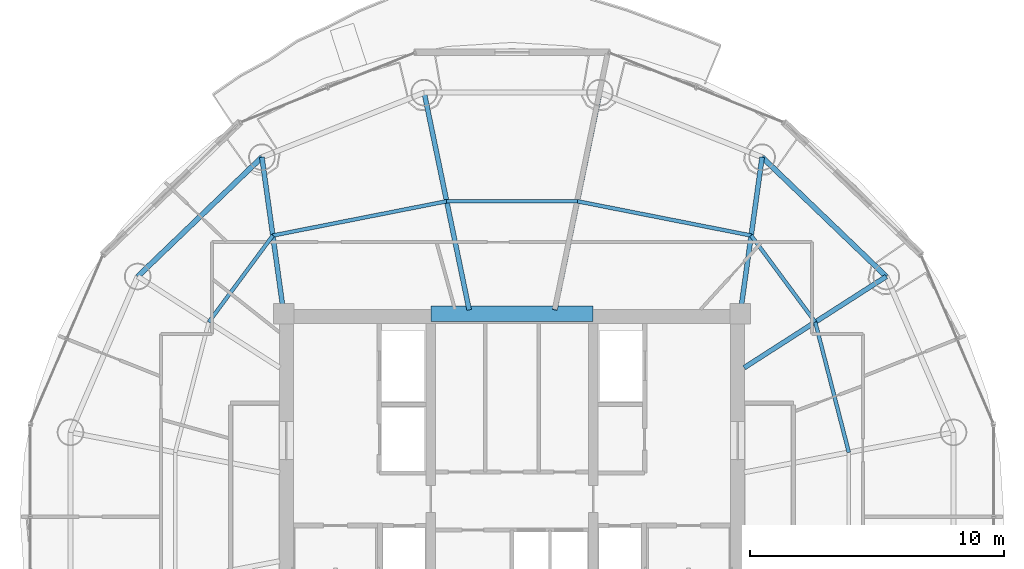
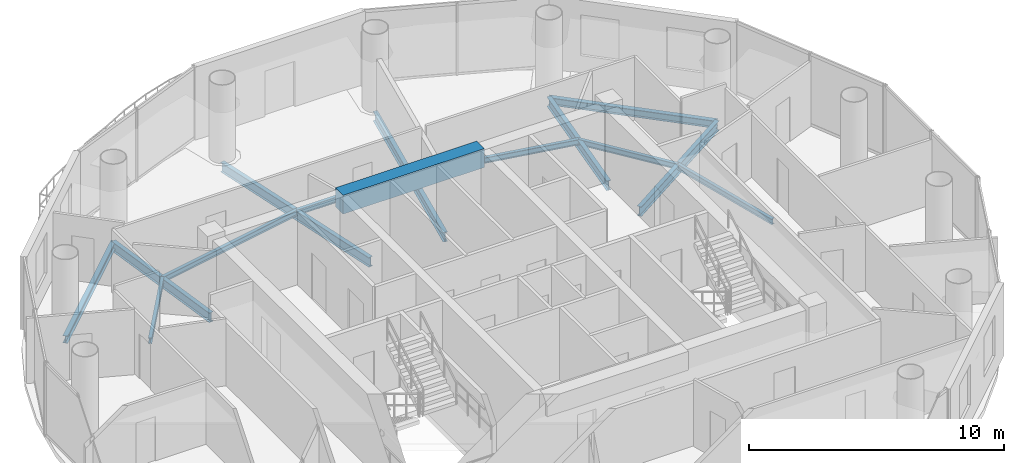
# One storey, part 8 of 21: 14 beams.
"""IFC4 building model written with IfcOpenShell, lengths in metres."""

from ifc_helpers import new_model, si_unit, direction, frame, origin, origin_2d, place, context, subcontext, project, spatial, rectangle, i_section, extrude, material, material_profile, profile_set, type_object, element, save


model = new_model("IFC4")

# Units and contexts
model_context = context("Model", 3, precision=1e-05, world=origin(), true_north=direction((-0.2419218956, 0.970295726276)))
body_context = subcontext(model_context, "Body", "Model", "MODEL_VIEW")
ifc_project = project(units=[si_unit("LENGTHUNIT", "METRE"), si_unit("AREAUNIT", "SQUARE_METRE"), si_unit("VOLUMEUNIT", "CUBIC_METRE"), si_unit("PLANEANGLEUNIT", "RADIAN"), si_unit("MASSUNIT", "GRAM", prefix="KILO")], contexts=[model_context])

# Site, building, storey
site_placement = place(None, origin())
site = spatial("IfcSite", under=ifc_project, at=site_placement, CompositionType="ELEMENT")
building_placement = place(site_placement, origin())
building = spatial("IfcBuilding", under=site, at=building_placement, Name="Cobrevalo Terracotta Tower", CompositionType="ELEMENT")
storey_placement = place(building_placement, frame((0.0, 0.0, 281.949951171875)))
storey = spatial("IfcBuildingStorey", under=building, at=storey_placement, Name="L74", CompositionType="ELEMENT", Elevation=281.949951171875)

# Beams
ifc_material_1 = material(Name="Concrete C60", Category="concrete")
ifc_material_profile_1 = material_profile(ifc_material_1, rectangle(XDim=0.60009765625, YDim=0.89990234375, at=origin_2d()), Name="RC CB 600x900")
ifc_profile_set_1 = profile_set([ifc_material_profile_1], Name="Concrete C60")
beam_type_1 = type_object("IfcBeamType", Name="Structural Beam RC CB 600x900 (Concrete C60)", PredefinedType="BEAM", material=ifc_profile_set_1)
beam_1_placement = place(storey_placement, frame((34.800048828125, 34.800048828125, 3.0400390625), z_axis=(1.0, 0.0, 0.0), x_axis=(0.0, 1.0, 0.0)))
element("IfcBeam", 1, at=beam_1_placement, inside=storey, type_object=beam_type_1, Name="L74 core coupling beam 2", PredefinedType="BEAM", context=body_context, shape_type="SweptSolid", body=[
    extrude(rectangle(XDim=0.60009765625, YDim=0.89990234375, at=origin_2d()), origin(), (0.0, 0.0, 1.0), 6.39990234375),
])
ifc_material_2 = material(Name="Steel S355", Category="steel")
ifc_material_profile_2 = material_profile(ifc_material_2, i_section(OverallWidth=0.19091796875, OverallDepth=0.4599609375, WebThickness=0.010009765625, FlangeThickness=0.01611328125, at=origin_2d()), Name="W 460x82")
ifc_profile_set_2 = profile_set([ifc_material_profile_2], Name="Steel S355")
beam_type_2 = type_object("IfcBeamType", Name="Structural Beam W 460x82 (Steel S355)", PredefinedType="BEAM", material=ifc_profile_set_2)
beam_2_placement = place(storey_placement, frame((52.758544921875, 36.2724609375, -0.489990234375), z_axis=(-0.84157615512, -0.540138477739, 0.0), x_axis=(0.540138477739, -0.84157615512, 0.0)))
element("IfcBeam", 2, at=beam_2_placement, inside=storey, type_object=beam_type_2, Name="L74 radial floor girder 02", PredefinedType="BEAM", context=body_context, shape_type="SweptSolid", body=[
    extrude(i_section(OverallWidth=0.19091796875, OverallDepth=0.4599609375, WebThickness=0.010009765625, FlangeThickness=0.01611328125, at=origin_2d()), origin(), (0.0, 0.0, 1.0), 6.658447265625),
])
beam_3_placement = place(storey_placement, frame((47.861328125, 40.9765625, -0.489990234375), z_axis=(-0.138115657759, -0.990416107039, 0.0), x_axis=(0.990416107039, -0.138115657759, 0.0)))
element("IfcBeam", 3, at=beam_3_placement, inside=storey, type_object=beam_type_2, Name="L74 radial floor girder 03", PredefinedType="BEAM", context=body_context, shape_type="SweptSolid", body=[
    extrude(i_section(OverallWidth=0.19091796875, OverallDepth=0.4599609375, WebThickness=0.010009765625, FlangeThickness=0.01611328125, at=origin_2d()), origin(), (0.0, 0.0, 1.0), 6.236328125),
])
for number, where, z_axis, x_axis, name in (
    (4, (41.462890625, 43.5224609375, -0.489990234375), (-0.202781841237, -0.9792239401, 0.0), (0.9792239401, -0.202781841237, 0.0), "L74 radial floor girder 04"),
    (5, (34.537109375, 43.5224609375, -0.489990234375), (0.202781841237, -0.9792239401, 0.0), (0.9792239401, 0.202781841237, 0.0), "L74 radial floor girder 05"),
):
    element("IfcBeam", number, at=place(storey_placement, frame(where, z_axis=z_axis, x_axis=x_axis)), inside=storey, type_object=beam_type_2, Name=name, PredefinedType="BEAM", context=body_context, shape_type="SweptSolid", body=[
        extrude(i_section(OverallWidth=0.19091796875, OverallDepth=0.4599609375, WebThickness=0.010009765625, FlangeThickness=0.01611328125, at=origin_2d()), origin(), (0.0, 0.0, 1.0), 8.749267578125),
    ])
beam_4_placement = place(storey_placement, frame((28.138671875, 40.9765625, -0.489990234375), z_axis=(0.138115657759, -0.990416107039, 0.0), x_axis=(0.990416107039, 0.138115657759, 0.0)))
element("IfcBeam", 6, at=beam_4_placement, inside=storey, type_object=beam_type_2, Name="L74 radial floor girder 06", PredefinedType="BEAM", context=body_context, shape_type="SweptSolid", body=[
    extrude(i_section(OverallWidth=0.19091796875, OverallDepth=0.4599609375, WebThickness=0.010009765625, FlangeThickness=0.01611328125, at=origin_2d()), origin(), (0.0, 0.0, 1.0), 6.236328125),
])
ifc_material_profile_3 = material_profile(ifc_material_2, i_section(OverallWidth=0.14794921875, OverallDepth=0.26611328125, WebThickness=0.007568359375, FlangeThickness=0.012939453125, at=origin_2d()), Name="W 250x44.8")
ifc_profile_set_3 = profile_set([ifc_material_profile_3], Name="Steel S355")
beam_type_3 = type_object("IfcBeamType", Name="Structural Joist W 250x44.8 (Steel S355)", PredefinedType="JOIST", material=ifc_profile_set_3)
beam_5_placement = place(storey_placement, frame((51.281982421875, 29.337646484375, -0.39306640625), z_axis=(-0.249816773293, 0.968293126993, 0.0), x_axis=(-0.968293126993, -0.249816773293, 0.0)))
element("IfcBeam", 7, at=beam_5_placement, inside=storey, type_object=beam_type_3, Name="L74 circumferential secondary floor joist 01", PredefinedType="JOIST", context=body_context, shape_type="SweptSolid", body=[
    extrude(i_section(OverallWidth=0.14794921875, OverallDepth=0.26611328125, WebThickness=0.007568359375, FlangeThickness=0.012939453125, at=origin_2d()), origin(), (0.0, 0.0, 1.0), 5.3046875),
])
beam_6_placement = place(storey_placement, frame((49.956787109375, 34.47412109375, -0.39306640625), z_axis=(-0.594799916617, 0.803873783123, 0.0), x_axis=(-0.803873783123, -0.594799916617, 0.0)))
element("IfcBeam", 8, at=beam_6_placement, inside=storey, type_object=beam_type_3, Name="L74 circumferential secondary floor joist 02", PredefinedType="JOIST", context=body_context, shape_type="SweptSolid", body=[
    extrude(i_section(OverallWidth=0.14794921875, OverallDepth=0.26611328125, WebThickness=0.007568359375, FlangeThickness=0.012939453125, at=origin_2d()), origin(), (0.0, 0.0, 1.0), 4.2470703125),
])
beam_7_placement = place(storey_placement, frame((47.4306640625, 37.88818359375, -0.39306640625), z_axis=(-0.98113843359, 0.19330642548, 0.0), x_axis=(-0.19330642548, -0.98113843359, 0.0)))
element("IfcBeam", 9, at=beam_7_placement, inside=storey, type_object=beam_type_3, Name="L74 circumferential secondary floor joist 03", PredefinedType="JOIST", context=body_context, shape_type="SweptSolid", body=[
    extrude(i_section(OverallWidth=0.14794921875, OverallDepth=0.26611328125, WebThickness=0.007568359375, FlangeThickness=0.012939453125, at=origin_2d()), origin(), (0.0, 0.0, 1.0), 6.98681640625),
])
beam_8_placement = place(storey_placement, frame((40.57568359375, 39.23876953125, -0.39306640625), z_axis=(-1.0, 0.0, 0.0), x_axis=(0.0, -1.0, 0.0)))
element("IfcBeam", 10, at=beam_8_placement, inside=storey, type_object=beam_type_3, Name="L74 circumferential secondary floor joist 04", PredefinedType="JOIST", context=body_context, shape_type="SweptSolid", body=[
    extrude(i_section(OverallWidth=0.14794921875, OverallDepth=0.26611328125, WebThickness=0.007568359375, FlangeThickness=0.012939453125, at=origin_2d()), origin(), (0.0, 0.0, 1.0), 5.1513671875),
])
beam_9_placement = place(storey_placement, frame((35.42431640625, 39.23876953125, -0.39306640625), z_axis=(-0.98113843359, -0.19330642548, 0.0), x_axis=(0.19330642548, -0.98113843359, 0.0)))
element("IfcBeam", 11, at=beam_9_placement, inside=storey, type_object=beam_type_3, Name="L74 circumferential secondary floor joist 05", PredefinedType="JOIST", context=body_context, shape_type="SweptSolid", body=[
    extrude(i_section(OverallWidth=0.14794921875, OverallDepth=0.26611328125, WebThickness=0.007568359375, FlangeThickness=0.012939453125, at=origin_2d()), origin(), (0.0, 0.0, 1.0), 6.98681640625),
])
beam_10_placement = place(storey_placement, frame((28.5693359375, 37.88818359375, -0.39306640625), z_axis=(-0.594799916617, -0.803873783123, 0.0), x_axis=(0.803873783123, -0.594799916617, 0.0)))
element("IfcBeam", 12, at=beam_10_placement, inside=storey, type_object=beam_type_3, Name="L74 circumferential secondary floor joist 06", PredefinedType="JOIST", context=body_context, shape_type="SweptSolid", body=[
    extrude(i_section(OverallWidth=0.14794921875, OverallDepth=0.26611328125, WebThickness=0.007568359375, FlangeThickness=0.012939453125, at=origin_2d()), origin(), (0.0, 0.0, 1.0), 4.2470703125),
])
ifc_material_profile_4 = material_profile(ifc_material_2, i_section(OverallWidth=0.205078125, OverallDepth=0.35400390625, WebThickness=0.009521484375, FlangeThickness=0.016845703125, at=origin_2d()), Name="W 360x79")
ifc_profile_set_4 = profile_set([ifc_material_profile_4], Name="Steel S355")
beam_type_4 = type_object("IfcBeamType", Name="Structural Spandrel W 360x79 (Steel S355)", PredefinedType="SPANDREL", material=ifc_profile_set_4)
for number, where, z_axis, x_axis, name in (
    (13, (52.758544921875, 36.2724609375, -0.43701171875), (-0.721183246144, 0.692744343522, 0.0), (-0.692744343522, -0.721183246144, 0.0), "L74 perimeter ring spandrel 02"),
    (14, (28.138671875, 40.9765625, -0.43701171875), (-0.721183246144, -0.692744343522, 0.0), (0.692744343522, -0.721183246144, 0.0), "L74 perimeter ring spandrel 06"),
):
    element("IfcBeam", number, at=place(storey_placement, frame(where, z_axis=z_axis, x_axis=x_axis)), inside=storey, type_object=beam_type_4, Name=name, PredefinedType="SPANDREL", context=body_context, shape_type="SweptSolid", body=[
        extrude(i_section(OverallWidth=0.205078125, OverallDepth=0.35400390625, WebThickness=0.009521484375, FlangeThickness=0.016845703125, at=origin_2d()), origin(), (0.0, 0.0, 1.0), 6.79052734375),
    ])

save(model, "model.ifc")
